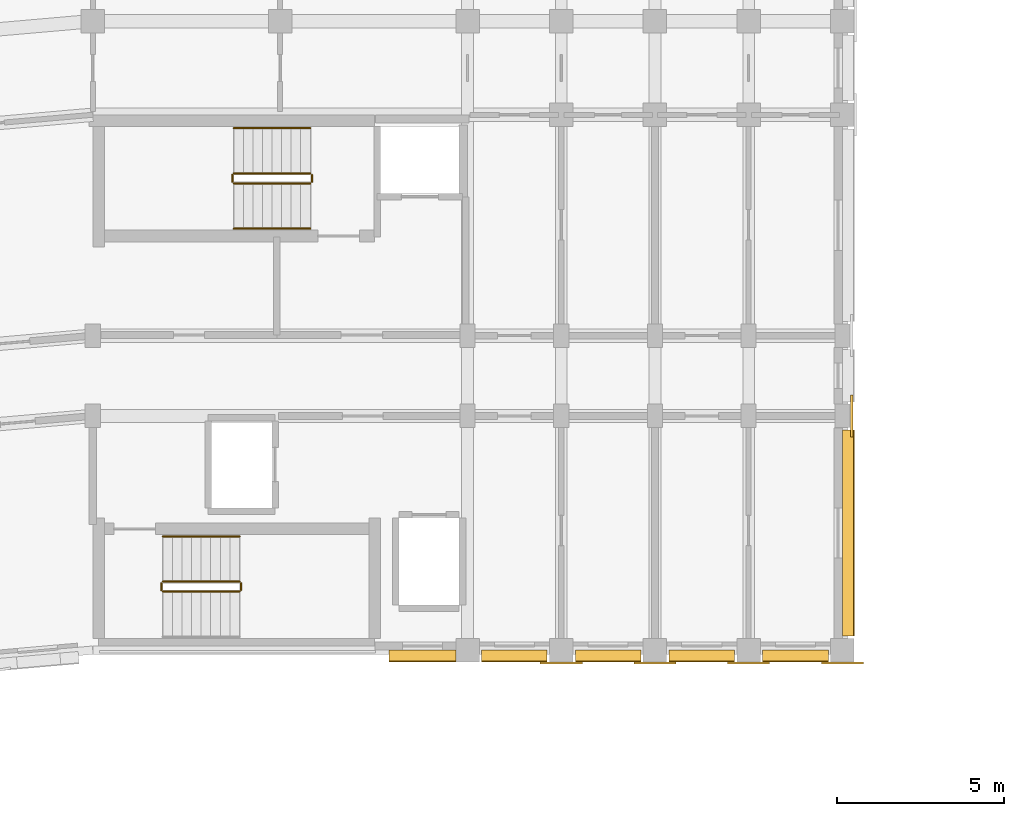
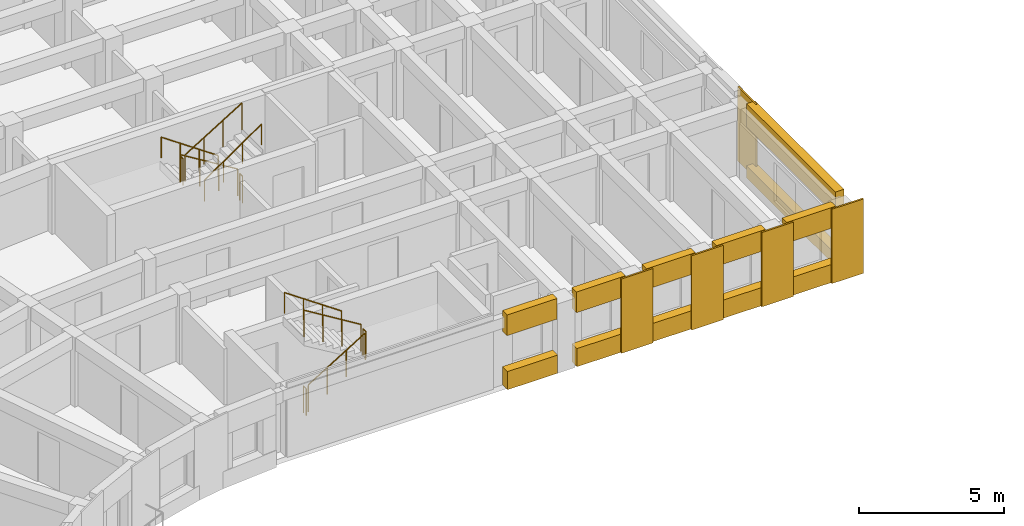
# One storey, part 49 of 57: 17 coverings, 11 railings.
"""IFC4 building model written with IfcOpenShell, lengths in metres."""

from ifc_helpers import new_model, si_unit, direction, frame, origin, origin_2d, place, context, subcontext, project, spatial, polyline, circle, outline, extrude, material, layer, layer_set, type_object, element, save


model = new_model("IFC4")

# Units and contexts
model_context = context("Model", 3, precision=1e-05, world=origin(), true_north=direction((0.0, 1.0)))
body_context = subcontext(model_context, "Body", "Model", "MODEL_VIEW")
ifc_project = project(units=[si_unit("LENGTHUNIT", "METRE"), si_unit("AREAUNIT", "SQUARE_METRE"), si_unit("VOLUMEUNIT", "CUBIC_METRE"), si_unit("PLANEANGLEUNIT", "RADIAN"), si_unit("MASSUNIT", "GRAM", prefix="KILO")], contexts=[model_context])

# Site, building, storey
site_placement = place(None, origin())
site = spatial("IfcSite", under=ifc_project, at=site_placement, CompositionType="ELEMENT")
building_placement = place(site_placement, origin())
building = spatial("IfcBuilding", under=site, at=building_placement, Name="Kiranvali Square Residences", CompositionType="ELEMENT")
storey_placement = place(building_placement, frame((0.0, 0.0, 18.14990234375)))
storey = spatial("IfcBuildingStorey", under=building, at=storey_placement, Name="L05", CompositionType="ELEMENT", Elevation=18.14990234375)

# Coverings
ifc_material_1 = material(Name="Honed Porbandar limestone ashlar facade cladding", Category="masonry")
ifc_layer_1 = layer(ifc_material_1, 0.050048828125)
ifc_layer_set_1 = layer_set([ifc_layer_1], Name="Honed Porbandar limestone ashlar facade cladding")
covering_type_1 = type_object("IfcCoveringType", Name="COV-CLAD-PIER-IN", PredefinedType="CLADDING", material=ifc_layer_set_1)
covering_1_placement = place(storey_placement, frame((0.0, 0.0, 0.005126953125)))
element("IfcCovering", 1, at=covering_1_placement, inside=storey, type_object=covering_type_1, Name="L05 Classical limestone pilaster casing CLAD-PRA1I-A-L05-U140", PredefinedType="CLADDING", context=body_context, shape_type="SweptSolid", body=[
    extrude(outline(polyline([(61.570068359375, 106.181884765625), (62.830078125, 106.181884765625), (62.830078125, 106.24951171875), (61.570068359375, 106.24951171875), (61.570068359375, 106.181884765625)])), origin(), (0.0, 0.0, 1.0), 3.139892578125),
])
covering_2_placement = place(storey_placement, frame((0.0, 0.0, 0.005126953125)))
element("IfcCovering", 2, at=covering_2_placement, inside=storey, type_object=covering_type_1, Name="L05 Classical limestone pilaster casing CLAD-PRA1I-A-L05-U167", PredefinedType="CLADDING", context=body_context, shape_type="SweptSolid", body=[
    extrude(outline(polyline([(64.3701171875, 106.181884765625), (65.6298828125, 106.181884765625), (65.6298828125, 106.24951171875), (64.3701171875, 106.24951171875), (64.3701171875, 106.181884765625)])), origin(), (0.0, 0.0, 1.0), 3.139892578125),
])
covering_3_placement = place(storey_placement, frame((0.0, 0.0, 0.005126953125)))
element("IfcCovering", 3, at=covering_3_placement, inside=storey, type_object=covering_type_1, Name="L05 Classical limestone pilaster casing CLAD-PRA1I-A-L05-U195", PredefinedType="CLADDING", context=body_context, shape_type="SweptSolid", body=[
    extrude(outline(polyline([(67.169921875, 106.181884765625), (68.429931640625, 106.181884765625), (68.429931640625, 106.24951171875), (67.169921875, 106.24951171875), (67.169921875, 106.181884765625)])), origin(), (0.0, 0.0, 1.0), 3.139892578125),
])
covering_4_placement = place(storey_placement, frame((0.0, 0.0, 0.005126953125)))
element("IfcCovering", 4, at=covering_4_placement, inside=storey, type_object=covering_type_1, Name="L05 Classical limestone pilaster casing CLAD-PRA1I-A-L05-U224", PredefinedType="CLADDING", context=body_context, shape_type="SweptSolid", body=[
    extrude(outline(polyline([(69.969970703125, 106.181884765625), (71.22998046875, 106.181884765625), (71.22998046875, 106.24951171875), (69.969970703125, 106.24951171875), (69.969970703125, 106.181884765625)])), origin(), (0.0, 0.0, 1.0), 3.139892578125),
])
ifc_layer_2 = layer(ifc_material_1, 0.054931640625)
ifc_layer_set_2 = layer_set([ifc_layer_2], Name="Honed Porbandar limestone ashlar facade cladding")
covering_type_2 = type_object("IfcCoveringType", Name="COV-CLAD-PIER-UP", PredefinedType="CLADDING", material=ifc_layer_set_2)
covering_5_placement = place(storey_placement, frame((0.0, 0.0, 0.005126953125)))
element("IfcCovering", 5, at=covering_5_placement, inside=storey, type_object=covering_type_2, Name="L05 Classical limestone pilaster casing CLAD-PRA1E-A-L05-R258", PredefinedType="CLADDING", context=body_context, shape_type="SweptSolid", body=[
    extrude(outline(polyline([(70.91796875, 112.969970703125), (70.91796875, 114.22998046875), (70.8505859375, 114.22998046875), (70.8505859375, 112.969970703125), (70.91796875, 112.969970703125)])), origin(), (0.0, 0.0, 1.0), 3.139892578125),
])
ifc_layer_3 = layer(ifc_material_1, 0.360107421875)
ifc_layer_set_3 = layer_set([ifc_layer_3], Name="Honed Porbandar limestone ashlar facade cladding")
covering_type_3 = type_object("IfcCoveringType", Name="COV-CLAD-WALL", PredefinedType="CLADDING", material=ifc_layer_set_3)
covering_6_placement = place(storey_placement, frame((0.0, 0.0, 2.272216796875)))
element("IfcCovering", 6, at=covering_6_placement, inside=storey, type_object=covering_type_3, Name="L05 light limestone spandrel lintel A-L05-A1IN-0", PredefinedType="CLADDING", context=body_context, shape_type="SweptSolid", body=[
    extrude(outline(polyline([(57.050048828125, 106.280029296875), (59.050048828125, 106.280029296875), (59.050048828125, 106.599609375), (57.050048828125, 106.599609375), (57.050048828125, 106.280029296875)])), origin(), (0.0, 0.0, 1.0), 0.872802734375),
])
covering_7_placement = place(storey_placement, frame((0.0, 0.0, 0.005126953125)))
element("IfcCovering", 7, at=covering_7_placement, inside=storey, type_object=covering_type_3, Name="L05 limestone window sill apron A-L05-A1IN-0", PredefinedType="CLADDING", context=body_context, shape_type="SweptSolid", body=[
    extrude(outline(polyline([(57.050048828125, 106.25), (59.050048828125, 106.25), (59.050048828125, 106.599609375), (57.050048828125, 106.599609375), (57.050048828125, 106.25)])), origin(), (0.0, 0.0, 1.0), 0.76708984375),
])
covering_8_placement = place(storey_placement, frame((0.0, 0.0, 2.272216796875)))
element("IfcCovering", 8, at=covering_8_placement, inside=storey, type_object=covering_type_3, Name="L05 light limestone spandrel lintel A-L05-A1I-0", PredefinedType="CLADDING", context=body_context, shape_type="SweptSolid", body=[
    extrude(outline(polyline([(59.820068359375, 106.280029296875), (61.780029296875, 106.280029296875), (61.780029296875, 106.599609375), (59.820068359375, 106.599609375), (59.820068359375, 106.280029296875)])), origin(), (0.0, 0.0, 1.0), 0.872802734375),
])
covering_9_placement = place(storey_placement, frame((0.0, 0.0, 0.005126953125)))
element("IfcCovering", 9, at=covering_9_placement, inside=storey, type_object=covering_type_3, Name="L05 limestone window sill apron A-L05-A1I-0", PredefinedType="CLADDING", context=body_context, shape_type="SweptSolid", body=[
    extrude(outline(polyline([(59.820068359375, 106.25), (61.780029296875, 106.25), (61.780029296875, 106.599609375), (59.820068359375, 106.599609375), (59.820068359375, 106.25)])), origin(), (0.0, 0.0, 1.0), 0.76708984375),
])
covering_10_placement = place(storey_placement, frame((0.0, 0.0, 2.272216796875)))
element("IfcCovering", 10, at=covering_10_placement, inside=storey, type_object=covering_type_3, Name="L05 light limestone spandrel lintel A-L05-A1I-1", PredefinedType="CLADDING", context=body_context, shape_type="SweptSolid", body=[
    extrude(outline(polyline([(62.6201171875, 106.280029296875), (64.580078125, 106.280029296875), (64.580078125, 106.599609375), (62.6201171875, 106.599609375), (62.6201171875, 106.280029296875)])), origin(), (0.0, 0.0, 1.0), 0.872802734375),
])
covering_11_placement = place(storey_placement, frame((0.0, 0.0, 0.005126953125)))
element("IfcCovering", 11, at=covering_11_placement, inside=storey, type_object=covering_type_3, Name="L05 limestone window sill apron A-L05-A1I-1", PredefinedType="CLADDING", context=body_context, shape_type="SweptSolid", body=[
    extrude(outline(polyline([(62.6201171875, 106.25), (64.580078125, 106.25), (64.580078125, 106.599609375), (62.6201171875, 106.599609375), (62.6201171875, 106.25)])), origin(), (0.0, 0.0, 1.0), 0.76708984375),
])
covering_12_placement = place(storey_placement, frame((0.0, 0.0, 2.272216796875)))
element("IfcCovering", 12, at=covering_12_placement, inside=storey, type_object=covering_type_3, Name="L05 light limestone spandrel lintel A-L05-A1I-2", PredefinedType="CLADDING", context=body_context, shape_type="SweptSolid", body=[
    extrude(outline(polyline([(65.419921875, 106.280029296875), (67.3798828125, 106.280029296875), (67.3798828125, 106.599609375), (65.419921875, 106.599609375), (65.419921875, 106.280029296875)])), origin(), (0.0, 0.0, 1.0), 0.872802734375),
])
covering_13_placement = place(storey_placement, frame((0.0, 0.0, 0.005126953125)))
element("IfcCovering", 13, at=covering_13_placement, inside=storey, type_object=covering_type_3, Name="L05 limestone window sill apron A-L05-A1I-2", PredefinedType="CLADDING", context=body_context, shape_type="SweptSolid", body=[
    extrude(outline(polyline([(65.419921875, 106.25), (67.3798828125, 106.25), (67.3798828125, 106.599609375), (65.419921875, 106.599609375), (65.419921875, 106.25)])), origin(), (0.0, 0.0, 1.0), 0.76708984375),
])
covering_14_placement = place(storey_placement, frame((0.0, 0.0, 2.272216796875)))
element("IfcCovering", 14, at=covering_14_placement, inside=storey, type_object=covering_type_3, Name="L05 light limestone spandrel lintel A-L05-A1I-3", PredefinedType="CLADDING", context=body_context, shape_type="SweptSolid", body=[
    extrude(outline(polyline([(68.219970703125, 106.280029296875), (70.179931640625, 106.280029296875), (70.179931640625, 106.599609375), (68.219970703125, 106.599609375), (68.219970703125, 106.280029296875)])), origin(), (0.0, 0.0, 1.0), 0.872802734375),
])
covering_15_placement = place(storey_placement, frame((0.0, 0.0, 0.005126953125)))
element("IfcCovering", 15, at=covering_15_placement, inside=storey, type_object=covering_type_3, Name="L05 limestone window sill apron A-L05-A1I-3", PredefinedType="CLADDING", context=body_context, shape_type="SweptSolid", body=[
    extrude(outline(polyline([(68.219970703125, 106.25), (70.179931640625, 106.25), (70.179931640625, 106.599609375), (68.219970703125, 106.599609375), (68.219970703125, 106.25)])), origin(), (0.0, 0.0, 1.0), 0.76708984375),
])
covering_16_placement = place(storey_placement, frame((0.0, 0.0, 2.172119140625)))
element("IfcCovering", 16, at=covering_16_placement, inside=storey, type_object=covering_type_3, Name="L05 light limestone spandrel lintel A-L05-A1END-0", PredefinedType="CLADDING", context=body_context, shape_type="SweptSolid", body=[
    extrude(outline(polyline([(70.93994140625, 107.02001953125), (70.93994140625, 113.179931640625), (70.6005859375, 113.179931640625), (70.6005859375, 107.02001953125), (70.93994140625, 107.02001953125)])), origin(), (0.0, 0.0, 1.0), 0.972900390625),
])
covering_17_placement = place(storey_placement, frame((0.0, 0.0, 0.005126953125)))
element("IfcCovering", 17, at=covering_17_placement, inside=storey, type_object=covering_type_3, Name="L05 limestone window sill apron A-L05-A1END-0", PredefinedType="CLADDING", context=body_context, shape_type="SweptSolid", body=[
    extrude(outline(polyline([(70.969970703125, 107.02001953125), (70.969970703125, 113.179931640625), (70.6005859375, 113.179931640625), (70.6005859375, 107.02001953125), (70.969970703125, 107.02001953125)])), origin(), (0.0, 0.0, 1.0), 0.51708984375),
])

# Railings
ifc_material_2 = material(Name="Brushed stainless steel tubular handrail", Category="steel")
railing_type_1 = type_object("IfcRailingType", Name="RL-HANDRAIL-900", PredefinedType="HANDRAIL", material=ifc_material_2)
railing_1_placement = place(storey_placement, frame((54.699951171875, 122.199951171875, 0.175048828125)))
element("IfcRailing", 18, at=railing_1_placement, inside=storey, type_object=railing_type_1, Name="L05 ST-A1 stair handrail 1", PredefinedType="HANDRAIL", context=body_context, shape_type="SweptSolid", body=[
    extrude(circle(Radius=0.02392578125, at=origin_2d()), frame((0.0, 0.0, 0.8759765625), z_axis=(-0.82278801735, 0.0, 0.568348377763), x_axis=(0.0, -1.0, 0.0)), (0.0, 0.0, 1.0), 2.77099609375),
    extrude(circle(Radius=0.02099609375, at=origin_2d()), origin(), (0.0, 0.0, 1.0), 0.851806640625),
    extrude(circle(Radius=0.02099609375, at=origin_2d()), frame((-0.760009765625, 0.0, 0.52490234375)), (0.0, 0.0, 1.0), 0.851806640625),
    extrude(circle(Radius=0.02099609375, at=origin_2d()), frame((-1.52001953125, 0.0, 1.050048828125)), (0.0, 0.0, 1.0), 0.851806640625),
    extrude(circle(Radius=0.02099609375, at=origin_2d()), frame((-2.280029296875, 0.0, 1.574951171875)), (0.0, 0.0, 1.0), 0.851806640625),
])
railing_2_placement = place(storey_placement, frame((52.419921875, 119.199951171875, 1.75)))
element("IfcRailing", 19, at=railing_2_placement, inside=storey, type_object=railing_type_1, Name="L05 ST-A1 stair handrail 2", PredefinedType="HANDRAIL", context=body_context, shape_type="SweptSolid", body=[
    extrude(circle(Radius=0.02392578125, at=origin_2d()), frame((0.0, 0.0, 0.8759765625), z_axis=(0.82274681792, 0.0, 0.568408016835), x_axis=(0.0, 1.0, 0.0)), (0.0, 0.0, 1.0), 2.771240234375),
    extrude(circle(Radius=0.02099609375, at=origin_2d()), origin(), (0.0, 0.0, 1.0), 0.851806640625),
    extrude(circle(Radius=0.02099609375, at=origin_2d()), frame((0.760009765625, 0.0, 0.525146484375)), (0.0, 0.0, 1.0), 0.851806640625),
    extrude(circle(Radius=0.02099609375, at=origin_2d()), frame((1.52001953125, 0.0, 1.050048828125)), (0.0, 0.0, 1.0), 0.851806640625),
    extrude(circle(Radius=0.02099609375, at=origin_2d()), frame((2.280029296875, 0.0, 1.5751953125)), (0.0, 0.0, 1.0), 0.851806640625),
])
railing_3_placement = place(storey_placement, frame((52.580078125, 110.0, 1.75)))
element("IfcRailing", 20, at=railing_3_placement, inside=storey, type_object=railing_type_1, Name="L05 ST-A2 stair handrail 2", PredefinedType="HANDRAIL", context=body_context, shape_type="SweptSolid", body=[
    extrude(circle(Radius=0.02392578125, at=origin_2d()), frame((0.0, 0.0, 0.8759765625), z_axis=(-0.82274681792, 0.0, 0.568408016835), x_axis=(0.0, -1.0, 0.0)), (0.0, 0.0, 1.0), 2.771240234375),
    extrude(circle(Radius=0.02099609375, at=origin_2d()), origin(), (0.0, 0.0, 1.0), 0.851806640625),
    extrude(circle(Radius=0.02099609375, at=origin_2d()), frame((-0.760009765625, 0.0, 0.525146484375)), (0.0, 0.0, 1.0), 0.851806640625),
    extrude(circle(Radius=0.02099609375, at=origin_2d()), frame((-1.52001953125, 0.0, 1.050048828125)), (0.0, 0.0, 1.0), 0.851806640625),
    extrude(circle(Radius=0.02099609375, at=origin_2d()), frame((-2.280029296875, 0.0, 1.5751953125)), (0.0, 0.0, 1.0), 0.851806640625),
])
ifc_material_3 = material(Name="Powder-coated architectural bronze balustrade", Category="steel")
railing_type_2 = type_object("IfcRailingType", Name="RL-ST-GUARD-1200", PredefinedType="GUARDRAIL", material=ifc_material_3)
railing_4_placement = place(storey_placement, frame((54.699951171875, 120.85009765625, 0.175048828125)))
element("IfcRailing", 21, at=railing_4_placement, inside=storey, type_object=railing_type_2, Name="L05 ST-A1 stair guard 1", PredefinedType="GUARDRAIL", context=body_context, shape_type="SweptSolid", body=[
    extrude(circle(Radius=0.02392578125, at=origin_2d()), frame((0.0, 0.0, 1.1259765625), z_axis=(-0.852149810458, 0.0, 0.523297908018), x_axis=(0.0, -1.0, 0.0)), (0.0, 0.0, 1.0), 2.675537109375),
    extrude(circle(Radius=0.02099609375, at=origin_2d()), origin(), (0.0, 0.0, 1.0), 1.101806640625),
    extrude(circle(Radius=0.02099609375, at=origin_2d()), frame((-0.760009765625, 0.0, 0.466796875)), (0.0, 0.0, 1.0), 1.101806640625),
    extrude(circle(Radius=0.02099609375, at=origin_2d()), frame((-1.52001953125, 0.0, 0.933349609375)), (0.0, 0.0, 1.0), 1.101806640625),
    extrude(circle(Radius=0.02099609375, at=origin_2d()), frame((-2.280029296875, 0.0, 1.400146484375)), (0.0, 0.0, 1.0), 1.101806640625),
])
railing_5_placement = place(storey_placement, frame((52.3701171875, 120.800048828125, 1.5751953125)))
element("IfcRailing", 22, at=railing_5_placement, inside=storey, type_object=railing_type_2, Name="L05 ST-A1 stair guard 2", PredefinedType="GUARDRAIL", context=body_context, shape_type="SweptSolid", body=[
    extrude(circle(Radius=0.02392578125, at=origin_2d()), frame((0.0, 0.0, 1.1259765625), z_axis=(0.0, -1.0, 0.0), x_axis=(1.0, 0.0, 0.0)), (0.0, 0.0, 1.0), 0.199951171875),
    extrude(circle(Radius=0.02099609375, at=origin_2d()), origin(), (0.0, 0.0, 1.0), 1.101806640625),
    extrude(circle(Radius=0.02099609375, at=origin_2d()), frame((0.0, -0.199951171875, 0.0)), (0.0, 0.0, 1.0), 1.101806640625),
])
railing_6_placement = place(storey_placement, frame((52.419921875, 120.550048828125, 1.75)))
element("IfcRailing", 23, at=railing_6_placement, inside=storey, type_object=railing_type_2, Name="L05 ST-A1 stair guard 3", PredefinedType="GUARDRAIL", context=body_context, shape_type="SweptSolid", body=[
    extrude(circle(Radius=0.02392578125, at=origin_2d()), frame((0.0, 0.0, 1.1259765625), z_axis=(0.852149810458, 0.0, 0.523297908018), x_axis=(0.0, 1.0, 0.0)), (0.0, 0.0, 1.0), 2.675537109375),
    extrude(circle(Radius=0.02099609375, at=origin_2d()), origin(), (0.0, 0.0, 1.0), 1.101806640625),
    extrude(circle(Radius=0.02099609375, at=origin_2d()), frame((0.760009765625, 0.0, 0.466796875)), (0.0, 0.0, 1.0), 1.101806640625),
    extrude(circle(Radius=0.02099609375, at=origin_2d()), frame((1.52001953125, 0.0, 0.933349609375)), (0.0, 0.0, 1.0), 1.101806640625),
    extrude(circle(Radius=0.02099609375, at=origin_2d()), frame((2.280029296875, 0.0, 1.400146484375)), (0.0, 0.0, 1.0), 1.101806640625),
])
railing_7_placement = place(storey_placement, frame((54.75, 120.800048828125, 0.0)))
element("IfcRailing", 24, at=railing_7_placement, inside=storey, type_object=railing_type_2, Name="L05 ST-A1 stair guard 4", PredefinedType="GUARDRAIL", context=body_context, shape_type="SweptSolid", body=[
    extrude(circle(Radius=0.02392578125, at=origin_2d()), frame((0.0, 0.0, 1.1259765625), z_axis=(0.0, -1.0, 0.0), x_axis=(1.0, 0.0, 0.0)), (0.0, 0.0, 1.0), 0.199951171875),
    extrude(circle(Radius=0.02099609375, at=origin_2d()), origin(), (0.0, 0.0, 1.0), 1.101806640625),
    extrude(circle(Radius=0.02099609375, at=origin_2d()), frame((0.0, -0.199951171875, 0.0)), (0.0, 0.0, 1.0), 1.101806640625),
])
railing_8_placement = place(storey_placement, frame((50.300048828125, 108.35009765625, 0.175048828125)))
element("IfcRailing", 25, at=railing_8_placement, inside=storey, type_object=railing_type_2, Name="L05 ST-A2 stair guard 1", PredefinedType="GUARDRAIL", context=body_context, shape_type="SweptSolid", body=[
    extrude(circle(Radius=0.02392578125, at=origin_2d()), frame((0.0, 0.0, 1.1259765625), z_axis=(0.852149810458, 0.0, 0.523297908018), x_axis=(0.0, 1.0, 0.0)), (0.0, 0.0, 1.0), 2.675537109375),
    extrude(circle(Radius=0.02099609375, at=origin_2d()), origin(), (0.0, 0.0, 1.0), 1.101806640625),
    extrude(circle(Radius=0.02099609375, at=origin_2d()), frame((0.760009765625, 0.0, 0.466796875)), (0.0, 0.0, 1.0), 1.101806640625),
    extrude(circle(Radius=0.02099609375, at=origin_2d()), frame((1.52001953125, 0.0, 0.933349609375)), (0.0, 0.0, 1.0), 1.101806640625),
    extrude(circle(Radius=0.02099609375, at=origin_2d()), frame((2.280029296875, 0.0, 1.400146484375)), (0.0, 0.0, 1.0), 1.101806640625),
])
railing_9_placement = place(storey_placement, frame((52.6298828125, 108.39990234375, 1.5751953125)))
element("IfcRailing", 26, at=railing_9_placement, inside=storey, type_object=railing_type_2, Name="L05 ST-A2 stair guard 2", PredefinedType="GUARDRAIL", context=body_context, shape_type="SweptSolid", body=[
    extrude(circle(Radius=0.02392578125, at=origin_2d()), frame((0.0, 0.0, 1.1259765625), z_axis=(0.0, 1.0, 0.0), x_axis=(-1.0, 0.0, 0.0)), (0.0, 0.0, 1.0), 0.2001953125),
    extrude(circle(Radius=0.02099609375, at=origin_2d()), origin(), (0.0, 0.0, 1.0), 1.101806640625),
    extrude(circle(Radius=0.02099609375, at=origin_2d()), frame((0.0, 0.2001953125, 0.0)), (0.0, 0.0, 1.0), 1.101806640625),
])
railing_10_placement = place(storey_placement, frame((52.580078125, 108.64990234375, 1.75)))
element("IfcRailing", 27, at=railing_10_placement, inside=storey, type_object=railing_type_2, Name="L05 ST-A2 stair guard 3", PredefinedType="GUARDRAIL", context=body_context, shape_type="SweptSolid", body=[
    extrude(circle(Radius=0.02392578125, at=origin_2d()), frame((0.0, 0.0, 1.1259765625), z_axis=(-0.852149810458, 0.0, 0.523297908018), x_axis=(0.0, -1.0, 0.0)), (0.0, 0.0, 1.0), 2.675537109375),
    extrude(circle(Radius=0.02099609375, at=origin_2d()), origin(), (0.0, 0.0, 1.0), 1.101806640625),
    extrude(circle(Radius=0.02099609375, at=origin_2d()), frame((-0.760009765625, 0.0, 0.466796875)), (0.0, 0.0, 1.0), 1.101806640625),
    extrude(circle(Radius=0.02099609375, at=origin_2d()), frame((-1.52001953125, 0.0, 0.933349609375)), (0.0, 0.0, 1.0), 1.101806640625),
    extrude(circle(Radius=0.02099609375, at=origin_2d()), frame((-2.280029296875, 0.0, 1.400146484375)), (0.0, 0.0, 1.0), 1.101806640625),
])
railing_11_placement = place(storey_placement, frame((50.25, 108.39990234375, 0.0)))
element("IfcRailing", 28, at=railing_11_placement, inside=storey, type_object=railing_type_2, Name="L05 ST-A2 stair guard 4", PredefinedType="GUARDRAIL", context=body_context, shape_type="SweptSolid", body=[
    extrude(circle(Radius=0.02392578125, at=origin_2d()), frame((0.0, 0.0, 1.1259765625), z_axis=(0.0, 1.0, 0.0), x_axis=(-1.0, 0.0, 0.0)), (0.0, 0.0, 1.0), 0.2001953125),
    extrude(circle(Radius=0.02099609375, at=origin_2d()), origin(), (0.0, 0.0, 1.0), 1.101806640625),
    extrude(circle(Radius=0.02099609375, at=origin_2d()), frame((0.0, 0.2001953125, 0.0)), (0.0, 0.0, 1.0), 1.101806640625),
])

save(model, "model.ifc")
